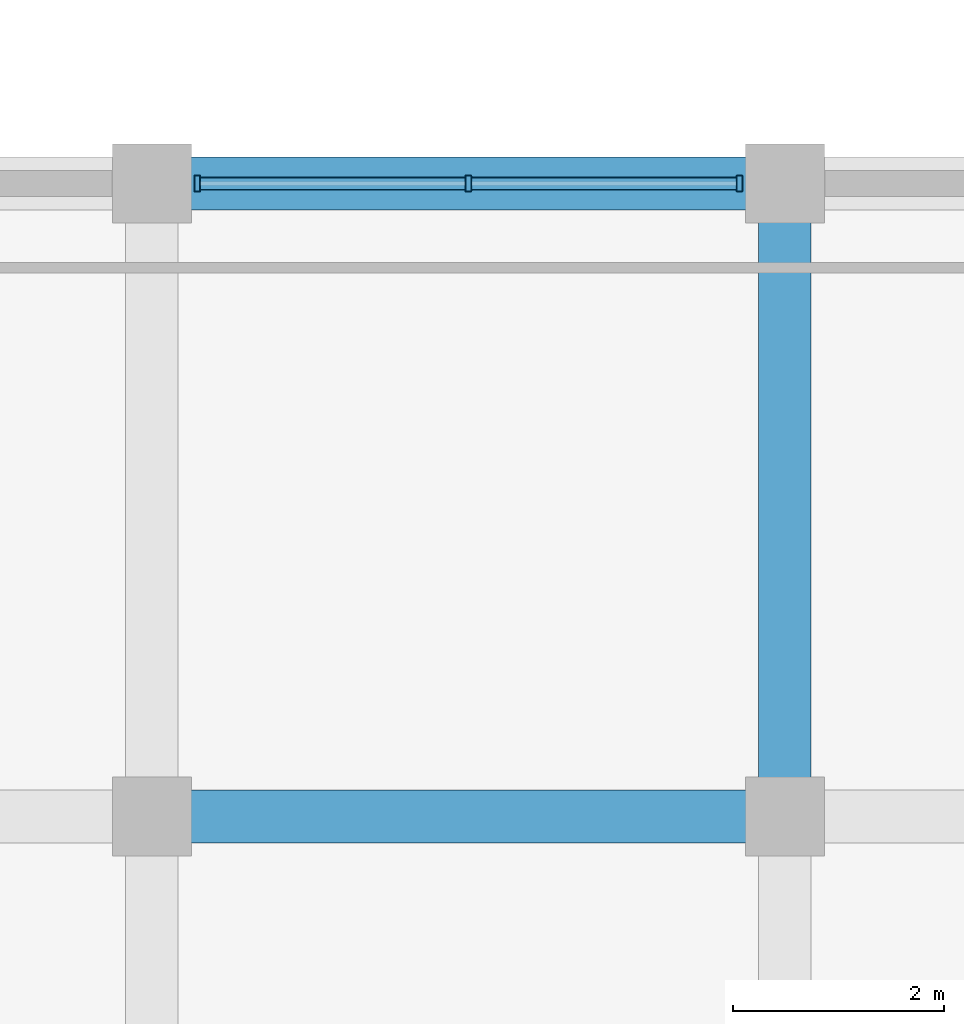
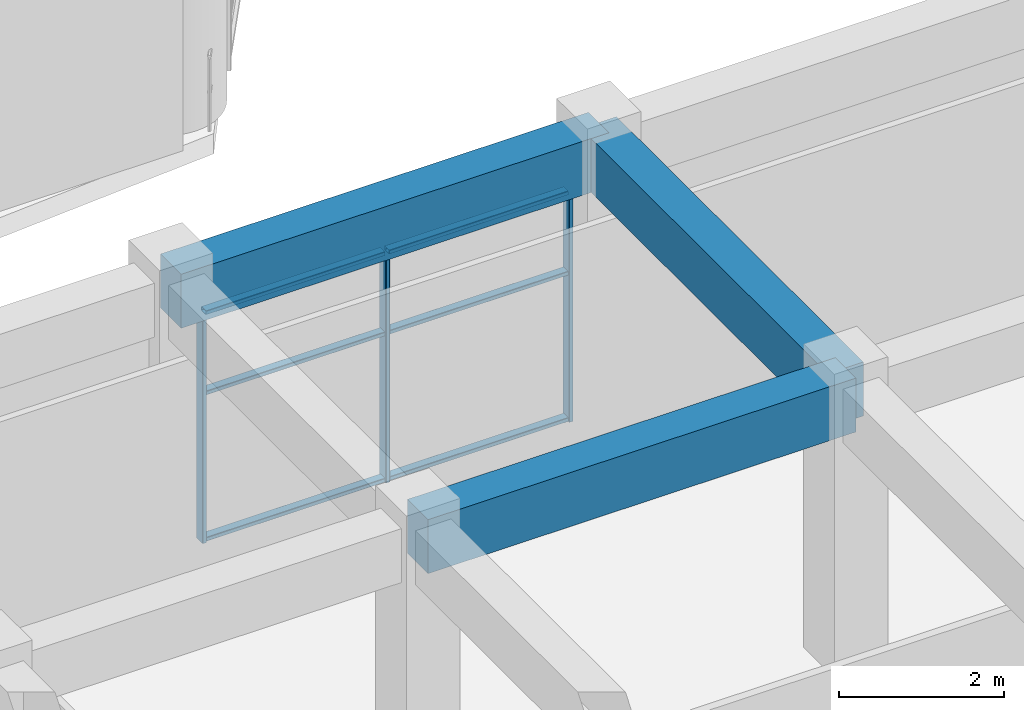
# One storey, part 17 of 53: 9 members, 3 beams, 1 element without a shape of its own.
"""IFC4 building model written with IfcOpenShell, lengths in metres."""

from ifc_helpers import new_model, si_unit, direction, frame, origin, origin_2d, place, context, subcontext, project, spatial, rectangle, hollow_rectangle, extrude, material, layer, layer_set, material_profile, profile_set, type_object, element, aggregate, save


model = new_model("IFC4")

# Units and contexts
model_context = context("Model", 3, precision=1e-05, world=origin(), true_north=direction((0.0, 1.0)))
body_context = subcontext(model_context, "Body", "Model", "MODEL_VIEW")
ifc_project = project(units=[si_unit("LENGTHUNIT", "METRE"), si_unit("AREAUNIT", "SQUARE_METRE"), si_unit("VOLUMEUNIT", "CUBIC_METRE"), si_unit("PLANEANGLEUNIT", "RADIAN"), si_unit("MASSUNIT", "GRAM", prefix="KILO")], contexts=[model_context])

# Site, building, storey
site_placement = place(None, origin())
site = spatial("IfcSite", under=ifc_project, at=site_placement, CompositionType="ELEMENT")
building_placement = place(site_placement, origin())
building = spatial("IfcBuilding", under=site, at=building_placement, Name="Kelanora Arch Commons", CompositionType="ELEMENT")
storey_placement = place(building_placement, frame((0.0, 0.0, 9.0)))
storey = spatial("IfcBuildingStorey", under=building, at=storey_placement, Name="L02", CompositionType="ELEMENT", Elevation=9.0)

# Beams
ifc_material_1 = material(Name="Concrete C40/50", Category="concrete")
ifc_material_profile_1 = material_profile(ifc_material_1, rectangle(XDim=0.5, YDim=0.800048828125, at=origin_2d()), Name="RCB500x800")
ifc_profile_set_1 = profile_set([ifc_material_profile_1], Name="Concrete C40/50")
beam_type = type_object("IfcBeamType", Name="BM-MKT-RC1", PredefinedType="BEAM", material=ifc_profile_set_1)
for number, where, z_axis, x_axis, name in (
    (1, (74.0, 20.0, 3.840087890625), (1.0, 0.0, 0.0), (0.0, 1.0, 0.0), "Market/Basement Frame Beam 126 L02"),
    (2, (74.0, 26.0, 3.840087890625), (1.0, 0.0, 0.0), (0.0, 1.0, 0.0), "Market/Basement Frame Beam 128 L02"),
    (3, (80.0, 20.0, 3.840087890625), (0.0, 1.0, 0.0), (-1.0, 0.0, 0.0), "Market/Basement Frame Beam 134 L02"),
):
    element("IfcBeam", number, at=place(storey_placement, frame(where, z_axis=z_axis, x_axis=x_axis)), inside=storey, type_object=beam_type, Name=name, PredefinedType="BEAM", context=body_context, shape_type="SweptSolid", body=[
        extrude(rectangle(XDim=0.5, YDim=0.800048828125, at=origin_2d()), origin(), (0.0, 0.0, 1.0), 6.0),
    ])

# Curtain wall, members
ifc_material_2 = material(Name="Terracotta ceramic-fritted low-E glass and aluminium", Category="masonry")
ifc_layer = layer(ifc_material_2, 0.16796875)
ifc_layer_set = layer_set([ifc_layer], Name="Terracotta ceramic-fritted low-E glass and aluminium")
curtain_wall_type = type_object("IfcCurtainWallType", Name="CW-SYS-07", PredefinedType="NOTDEFINED", material=ifc_layer_set)
curtain_wall_placement = place(storey_placement, origin())
curtain_wall = element("IfcCurtainWall", 4, at=curtain_wall_placement, inside=storey, type_object=curtain_wall_type, Name="Market Hall Arcade Curtain Wall L02-17", PredefinedType="NOTDEFINED")
ifc_material_3 = material(Name="Powder-coated aluminium terracotta", Category="masonry")
ifc_material_profile_2 = material_profile(ifc_material_3, hollow_rectangle(XDim=0.159912109375, YDim=0.06005859375, WallThickness=0.0048828125, InnerFilletRadius=0.0048828125, OuterFilletRadius=0.010009765625, at=origin_2d()), Name="CWM160x60")
ifc_profile_set_2 = profile_set([ifc_material_profile_2], Name="Powder-coated aluminium terracotta")
member_type_1 = type_object("IfcMemberType", Name="CWM-STD", PredefinedType="MULLION", material=ifc_profile_set_2)
member_1_placement = place(storey_placement, frame((79.570068359375, 26.0, 0.0), z_axis=(0.0, 0.0, 1.0), x_axis=(0.0, -1.0, 0.0)))
member_1 = element("IfcMember", 5, at=member_1_placement, type_object=member_type_1, Name="CW-07 mullion 1", PredefinedType="MULLION", context=body_context, shape_type="SweptSolid", body=[
    extrude(hollow_rectangle(XDim=0.159912109375, YDim=0.06005859375, WallThickness=0.0048828125, InnerFilletRadius=0.0048828125, OuterFilletRadius=0.010009765625, at=origin_2d()), origin(), (0.0, 0.0, 1.0), 3.419921875),
])
member_2_placement = place(storey_placement, frame((77.0, 26.0, 0.0), z_axis=(0.0, 0.0, 1.0), x_axis=(0.0, -1.0, 0.0)))
member_2 = element("IfcMember", 6, at=member_2_placement, type_object=member_type_1, Name="CW-07 mullion 2", PredefinedType="MULLION", context=body_context, shape_type="SweptSolid", body=[
    extrude(hollow_rectangle(XDim=0.159912109375, YDim=0.06005859375, WallThickness=0.0048828125, InnerFilletRadius=0.0048828125, OuterFilletRadius=0.010009765625, at=origin_2d()), origin(), (0.0, 0.0, 1.0), 3.419921875),
])
member_3_placement = place(storey_placement, frame((74.429931640625, 26.0, 0.0), z_axis=(0.0, 0.0, 1.0), x_axis=(0.0, -1.0, 0.0)))
member_3 = element("IfcMember", 7, at=member_3_placement, type_object=member_type_1, Name="CW-07 mullion 3", PredefinedType="MULLION", context=body_context, shape_type="SweptSolid", body=[
    extrude(hollow_rectangle(XDim=0.159912109375, YDim=0.06005859375, WallThickness=0.0048828125, InnerFilletRadius=0.0048828125, OuterFilletRadius=0.010009765625, at=origin_2d()), origin(), (0.0, 0.0, 1.0), 3.419921875),
])
ifc_material_profile_3 = material_profile(ifc_material_3, hollow_rectangle(XDim=0.1201171875, YDim=0.06005859375, WallThickness=0.0048828125, InnerFilletRadius=0.0048828125, OuterFilletRadius=0.010009765625, at=origin_2d()), Name="CWT120x60")
ifc_profile_set_3 = profile_set([ifc_material_profile_3], Name="Powder-coated aluminium terracotta")
member_type_2 = type_object("IfcMemberType", Name="CWT-STD", PredefinedType="USERDEFINED", material=ifc_profile_set_3)
member_4_placement = place(storey_placement, frame((79.5400390625, 26.0, 0.030029296875), z_axis=(-1.0, 0.0, 0.0), x_axis=(0.0, -1.0, 0.0)))
member_4 = element("IfcMember", 8, at=member_4_placement, type_object=member_type_2, Name="CW-07 transom 1.1", ObjectType="TRANSOM", PredefinedType="USERDEFINED", context=body_context, shape_type="SweptSolid", body=[
    extrude(hollow_rectangle(XDim=0.1201171875, YDim=0.06005859375, WallThickness=0.0048828125, InnerFilletRadius=0.0048828125, OuterFilletRadius=0.010009765625, at=origin_2d()), origin(), (0.0, 0.0, 1.0), 2.510009765625),
])
member_5_placement = place(storey_placement, frame((79.5400390625, 26.0, 2.199951171875), z_axis=(-1.0, 0.0, 0.0), x_axis=(0.0, -1.0, 0.0)))
member_5 = element("IfcMember", 9, at=member_5_placement, type_object=member_type_2, Name="CW-07 transom 1.2", ObjectType="TRANSOM", PredefinedType="USERDEFINED", context=body_context, shape_type="SweptSolid", body=[
    extrude(hollow_rectangle(XDim=0.1201171875, YDim=0.06005859375, WallThickness=0.0048828125, InnerFilletRadius=0.0048828125, OuterFilletRadius=0.010009765625, at=origin_2d()), origin(), (0.0, 0.0, 1.0), 2.510009765625),
])
member_6_placement = place(storey_placement, frame((79.5400390625, 26.0, 3.389892578125), z_axis=(-1.0, 0.0, 0.0), x_axis=(0.0, -1.0, 0.0)))
member_6 = element("IfcMember", 10, at=member_6_placement, type_object=member_type_2, Name="CW-07 transom 1.3", ObjectType="TRANSOM", PredefinedType="USERDEFINED", context=body_context, shape_type="SweptSolid", body=[
    extrude(hollow_rectangle(XDim=0.1201171875, YDim=0.06005859375, WallThickness=0.0048828125, InnerFilletRadius=0.0048828125, OuterFilletRadius=0.010009765625, at=origin_2d()), origin(), (0.0, 0.0, 1.0), 2.510009765625),
])
member_7_placement = place(storey_placement, frame((76.969970703125, 26.0, 0.030029296875), z_axis=(-1.0, 0.0, 0.0), x_axis=(0.0, -1.0, 0.0)))
member_7 = element("IfcMember", 11, at=member_7_placement, type_object=member_type_2, Name="CW-07 transom 2.1", ObjectType="TRANSOM", PredefinedType="USERDEFINED", context=body_context, shape_type="SweptSolid", body=[
    extrude(hollow_rectangle(XDim=0.1201171875, YDim=0.06005859375, WallThickness=0.0048828125, InnerFilletRadius=0.0048828125, OuterFilletRadius=0.010009765625, at=origin_2d()), origin(), (0.0, 0.0, 1.0), 2.510009765625),
])
member_8_placement = place(storey_placement, frame((76.969970703125, 26.0, 2.199951171875), z_axis=(-1.0, 0.0, 0.0), x_axis=(0.0, -1.0, 0.0)))
member_8 = element("IfcMember", 12, at=member_8_placement, type_object=member_type_2, Name="CW-07 transom 2.2", ObjectType="TRANSOM", PredefinedType="USERDEFINED", context=body_context, shape_type="SweptSolid", body=[
    extrude(hollow_rectangle(XDim=0.1201171875, YDim=0.06005859375, WallThickness=0.0048828125, InnerFilletRadius=0.0048828125, OuterFilletRadius=0.010009765625, at=origin_2d()), origin(), (0.0, 0.0, 1.0), 2.510009765625),
])
member_9_placement = place(storey_placement, frame((76.969970703125, 26.0, 3.389892578125), z_axis=(-1.0, 0.0, 0.0), x_axis=(0.0, -1.0, 0.0)))
member_9 = element("IfcMember", 13, at=member_9_placement, type_object=member_type_2, Name="CW-07 transom 2.3", ObjectType="TRANSOM", PredefinedType="USERDEFINED", context=body_context, shape_type="SweptSolid", body=[
    extrude(hollow_rectangle(XDim=0.1201171875, YDim=0.06005859375, WallThickness=0.0048828125, InnerFilletRadius=0.0048828125, OuterFilletRadius=0.010009765625, at=origin_2d()), origin(), (0.0, 0.0, 1.0), 2.510009765625),
])
aggregate(curtain_wall, [member_1, member_2, member_3, member_4, member_5, member_6, member_7, member_8, member_9])

save(model, "model.ifc")
